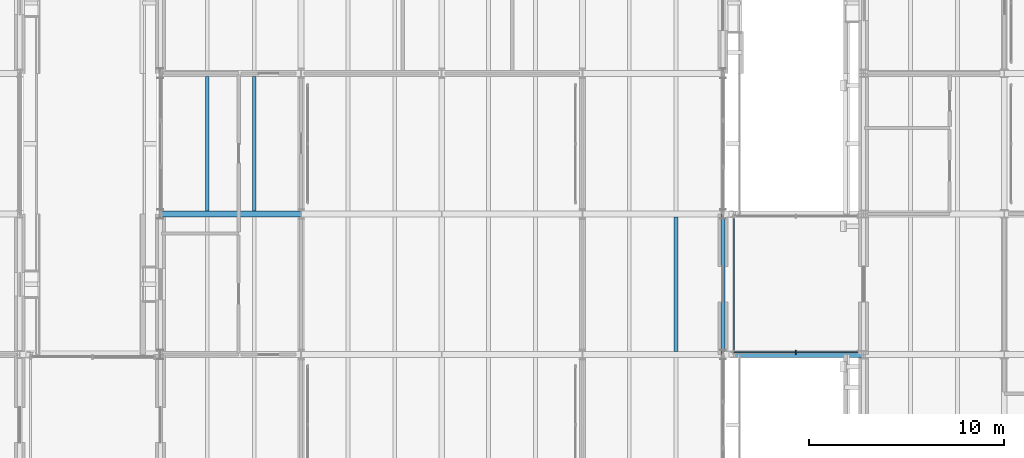
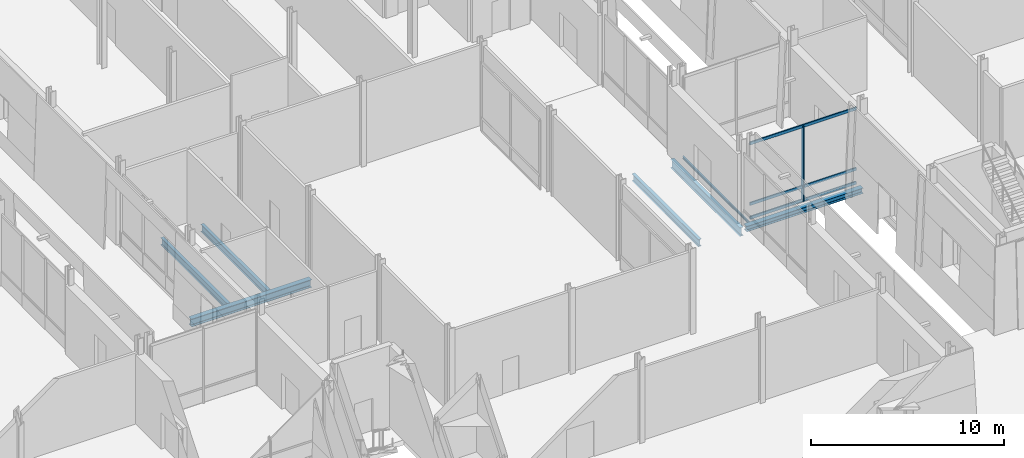
# One storey, part 28 of 120: 7 beams, 4 members, 1 element without a shape of its own.
"""IFC4 building model written with IfcOpenShell, lengths in metres."""

from ifc_helpers import new_model, si_unit, direction, frame, origin, origin_2d, place, context, subcontext, project, spatial, rectangle, i_section, extrude, material, layer, layer_set, material_profile, profile_set, type_object, element, aggregate, save


model = new_model("IFC4")

# Units and contexts
model_context = context("Model", 3, precision=1e-05, world=origin(), true_north=direction((0.0, 1.0)))
body_context = subcontext(model_context, "Body", "Model", "MODEL_VIEW")
ifc_project = project(units=[si_unit("LENGTHUNIT", "METRE"), si_unit("AREAUNIT", "SQUARE_METRE"), si_unit("VOLUMEUNIT", "CUBIC_METRE"), si_unit("PLANEANGLEUNIT", "RADIAN"), si_unit("MASSUNIT", "GRAM", prefix="KILO")], contexts=[model_context])

# Site, building, storey
site_placement = place(None, origin())
site = spatial("IfcSite", under=ifc_project, at=site_placement, CompositionType="ELEMENT")
building_placement = place(site_placement, origin())
building = spatial("IfcBuilding", under=site, at=building_placement, Name="Narikvali Park Central Library", CompositionType="ELEMENT")
storey_placement = place(building_placement, origin())
storey = spatial("IfcBuildingStorey", under=building, at=storey_placement, Name="L00", CompositionType="ELEMENT", Elevation=0.0)

# Beams
ifc_material_1 = material(Name="Steel S355", Category="steel")
ifc_material_profile_1 = material_profile(ifc_material_1, i_section(OverallWidth=0.300048828125, OverallDepth=0.35009765625, WebThickness=0.010009765625, FlangeThickness=0.017578125, FilletRadius=0.027099609375, at=origin_2d()), Name="HEA 360")
ifc_profile_set_1 = profile_set([ifc_material_profile_1], Name="Steel S355")
beam_type_1 = type_object("IfcBeamType", Name="Bridge Sliding Girder HEA360", PredefinedType="BEAM", material=ifc_profile_set_1)
beam_1_placement = place(storey_placement, frame((57.820068359375, 72.0, -0.425048828125), z_axis=(1.0, 0.0, 0.0), x_axis=(0.0, 1.0, 0.0)))
element("IfcBeam", 1, at=beam_1_placement, inside=storey, type_object=beam_type_1, Name="BRG-2 L00 Sliding Bridge Girder 1-1", PredefinedType="BEAM", context=body_context, shape_type="SweptSolid", body=[
    extrude(i_section(OverallWidth=0.300048828125, OverallDepth=0.35009765625, WebThickness=0.010009765625, FlangeThickness=0.017578125, FilletRadius=0.027099609375, at=origin_2d()), origin(), (0.0, 0.0, 1.0), 6.969970703125),
])
ifc_material_profile_2 = material_profile(ifc_material_1, i_section(OverallWidth=0.18994140625, OverallDepth=0.449951171875, WebThickness=0.009521484375, FlangeThickness=0.0146484375, FilletRadius=0.02099609375, at=origin_2d()), Name="IPE 450")
ifc_profile_set_2 = profile_set([ifc_material_profile_2], Name="Steel S355")
beam_type_2 = type_object("IfcBeamType", Name="Composite Floor Joist IPE450", PredefinedType="JOIST", material=ifc_profile_set_2)
for number, where, z_axis, x_axis, name in (
    (2, (31.199951171875, 79.35009765625, -0.544921875), (0.0, 1.0, 0.0), (-1.0, 0.0, 0.0), "V4 L00 Composite Joist 1"),
    (3, (33.60009765625, 79.35009765625, -0.544921875), (0.0, 1.0, 0.0), (-1.0, 0.0, 0.0), "V4 L00 Composite Joist 2"),
):
    element("IfcBeam", number, at=place(storey_placement, frame(where, z_axis=z_axis, x_axis=x_axis)), inside=storey, type_object=beam_type_2, Name=name, PredefinedType="JOIST", context=body_context, shape_type="SweptSolid", body=[
        extrude(i_section(OverallWidth=0.18994140625, OverallDepth=0.449951171875, WebThickness=0.009521484375, FlangeThickness=0.0146484375, FilletRadius=0.02099609375, at=origin_2d()), origin(), (0.0, 0.0, 1.0), 6.89990234375),
    ])
beam_2_placement = place(storey_placement, frame((55.199951171875, 72.14990234375, -0.544921875), z_axis=(0.0, 1.0, 0.0), x_axis=(-1.0, 0.0, 0.0)))
element("IfcBeam", 4, at=beam_2_placement, inside=storey, type_object=beam_type_2, Name="V4 L00 Composite Joist 2", PredefinedType="JOIST", context=body_context, shape_type="SweptSolid", body=[
    extrude(i_section(OverallWidth=0.18994140625, OverallDepth=0.449951171875, WebThickness=0.009521484375, FlangeThickness=0.0146484375, FilletRadius=0.02099609375, at=origin_2d()), origin(), (0.0, 0.0, 1.0), 6.900146484375),
])

# Curtain wall, members
ifc_material_2 = material(Name="Anodised Bronze Aluminium", Category="aluminium")
ifc_layer = layer(ifc_material_2, 0.219970703125, Name="Anodised Bronze Aluminium")
ifc_layer_set = layer_set([ifc_layer], Name="Anodised Bronze Aluminium")
curtain_wall_type = type_object("IfcCurtainWallType", Name="Bridge Covered Passage Glazing System", PredefinedType="NOTDEFINED", material=ifc_layer_set)
curtain_wall_placement = place(storey_placement, origin())
curtain_wall = element("IfcCurtainWall", 5, at=curtain_wall_placement, inside=storey, type_object=curtain_wall_type, Name="Bridge Covered Passage Glazing System CW-BRG-2-L00-S1", PredefinedType="NOTDEFINED")
ifc_material_profile_3 = material_profile(ifc_material_2, rectangle(XDim=0.074951171875, YDim=0.219970703125, at=origin_2d()), Name="CW MULLION 75x220")
ifc_profile_set_3 = profile_set([ifc_material_profile_3], Name="Anodised Bronze Aluminium")
member_type_1 = type_object("IfcMemberType", Name="Curtain Wall Heavy Mullion 75x220", PredefinedType="MULLION", material=ifc_profile_set_3)
member_1_placement = place(storey_placement, frame((61.324951171875, 72.1201171875, -0.010009765625), z_axis=(0.0, 0.0, 1.0), x_axis=(1.0, 0.0, 0.0)))
member_1 = element("IfcMember", 6, at=member_1_placement, type_object=member_type_1, Name="CW-BRG-2-L00-S1 Mullion 01", PredefinedType="MULLION", context=body_context, shape_type="SweptSolid", body=[
    extrude(rectangle(XDim=0.074951171875, YDim=0.219970703125, at=origin_2d()), origin(), (0.0, 0.0, 1.0), 4.760009765625),
])
ifc_material_profile_4 = material_profile(ifc_material_2, rectangle(XDim=0.074951171875, YDim=0.179931640625, at=origin_2d()), Name="CW TRANSOM 75x180")
ifc_profile_set_4 = profile_set([ifc_material_profile_4], Name="Anodised Bronze Aluminium")
member_type_2 = type_object("IfcMemberType", Name="Curtain Wall Heavy Transom 75x180", PredefinedType="USERDEFINED", material=ifc_profile_set_4)
member_2_placement = place(storey_placement, frame((58.14990234375, 72.1201171875, 0.030029296875), z_axis=(1.0, 0.0, 0.0), x_axis=(0.0, 1.0, 0.0)))
member_2 = element("IfcMember", 7, at=member_2_placement, type_object=member_type_2, Name="CW-BRG-2-L00-S1 Transom 00", ObjectType="TRANSOM", PredefinedType="USERDEFINED", context=body_context, shape_type="SweptSolid", body=[
    extrude(rectangle(XDim=0.074951171875, YDim=0.179931640625, at=origin_2d()), origin(), (0.0, 0.0, 1.0), 6.35009765625),
])
member_3_placement = place(storey_placement, frame((58.14990234375, 72.1201171875, 0.89990234375), z_axis=(1.0, 0.0, 0.0), x_axis=(0.0, 1.0, 0.0)))
member_3 = element("IfcMember", 8, at=member_3_placement, type_object=member_type_2, Name="CW-BRG-2-L00-S1 Transom 01", ObjectType="TRANSOM", PredefinedType="USERDEFINED", context=body_context, shape_type="SweptSolid", body=[
    extrude(rectangle(XDim=0.074951171875, YDim=0.179931640625, at=origin_2d()), origin(), (0.0, 0.0, 1.0), 6.35009765625),
])
member_4_placement = place(storey_placement, frame((58.14990234375, 72.1201171875, 4.719970703125), z_axis=(1.0, 0.0, 0.0), x_axis=(0.0, 1.0, 0.0)))
member_4 = element("IfcMember", 9, at=member_4_placement, type_object=member_type_2, Name="CW-BRG-2-L00-S1 Transom 02", ObjectType="TRANSOM", PredefinedType="USERDEFINED", context=body_context, shape_type="SweptSolid", body=[
    extrude(rectangle(XDim=0.074951171875, YDim=0.179931640625, at=origin_2d()), origin(), (0.0, 0.0, 1.0), 6.35009765625),
])
aggregate(curtain_wall, [member_1, member_2, member_3, member_4])

# Beams
ifc_material_profile_5 = material_profile(ifc_material_1, i_section(OverallWidth=0.2099609375, OverallDepth=0.550048828125, WebThickness=0.010986328125, FlangeThickness=0.01708984375, FilletRadius=0.02392578125, at=origin_2d()), Name="IPE 550")
ifc_profile_set_5 = profile_set([ifc_material_profile_5], Name="Steel S355")
beam_type_3 = type_object("IfcBeamType", Name="Perimeter Spandrel IPE550", PredefinedType="SPANDREL", material=ifc_profile_set_5)
beam_3_placement = place(storey_placement, frame((57.60009765625, 72.008056640625, -0.594970703125), z_axis=(0.0, 1.0, 0.0), x_axis=(-1.0, 0.0, 0.0)))
element("IfcBeam", 10, at=beam_3_placement, inside=storey, type_object=beam_type_3, Name="V4 L00 Girder Y", PredefinedType="SPANDREL", context=body_context, shape_type="SweptSolid", body=[
    extrude(i_section(OverallWidth=0.2099609375, OverallDepth=0.550048828125, WebThickness=0.010986328125, FlangeThickness=0.01708984375, FilletRadius=0.02392578125, at=origin_2d()), origin(), (0.0, 0.0, 1.0), 7.183837890625),
])
ifc_material_profile_6 = material_profile(ifc_material_1, i_section(OverallWidth=0.08203125, OverallDepth=0.159912109375, WebThickness=0.0048828125, FlangeThickness=0.00732421875, FilletRadius=0.009033203125, at=origin_2d()), Name="IPE 160")
ifc_profile_set_6 = profile_set([ifc_material_profile_6], Name="Steel S355")
beam_type_4 = type_object("IfcBeamType", Name="Portal Steel Lintel IPE160", PredefinedType="LINTEL", material=ifc_profile_set_6)
beam_4_placement = place(storey_placement, frame((58.14990234375, 72.159912109375, -0.330078125), z_axis=(0.0, 1.0, 0.0), x_axis=(-1.0, 0.0, 0.0)))
element("IfcBeam", 11, at=beam_4_placement, inside=storey, type_object=beam_type_4, Name="BRG-2 L00 Portal Transverse Lintel", PredefinedType="LINTEL", context=body_context, shape_type="SweptSolid", body=[
    extrude(i_section(OverallWidth=0.08203125, OverallDepth=0.159912109375, WebThickness=0.0048828125, FlangeThickness=0.00732421875, FilletRadius=0.009033203125, at=origin_2d()), origin(), (0.0, 0.0, 1.0), 6.880126953125),
])
ifc_material_profile_7 = material_profile(ifc_material_1, i_section(OverallWidth=0.300048828125, OverallDepth=0.489990234375, WebThickness=0.011962890625, FlangeThickness=0.02294921875, FilletRadius=0.027099609375, at=origin_2d()), Name="HEA 500")
ifc_profile_set_7 = profile_set([ifc_material_profile_7], Name="Steel S355")
beam_type_5 = type_object("IfcBeamType", Name="Primary Girder HEA500", PredefinedType="BEAM", material=ifc_profile_set_7)
beam_5_placement = place(storey_placement, frame((28.80810546875, 79.199951171875, -0.56494140625), z_axis=(1.0, 0.0, 0.0), x_axis=(0.0, 1.0, 0.0)))
element("IfcBeam", 12, at=beam_5_placement, inside=storey, type_object=beam_type_5, Name="V4 L00 Girder X", PredefinedType="BEAM", context=body_context, shape_type="SweptSolid", body=[
    extrude(i_section(OverallWidth=0.300048828125, OverallDepth=0.489990234375, WebThickness=0.011962890625, FlangeThickness=0.02294921875, FilletRadius=0.027099609375, at=origin_2d()), origin(), (0.0, 0.0, 1.0), 7.183837890625),
])

save(model, "model.ifc")
